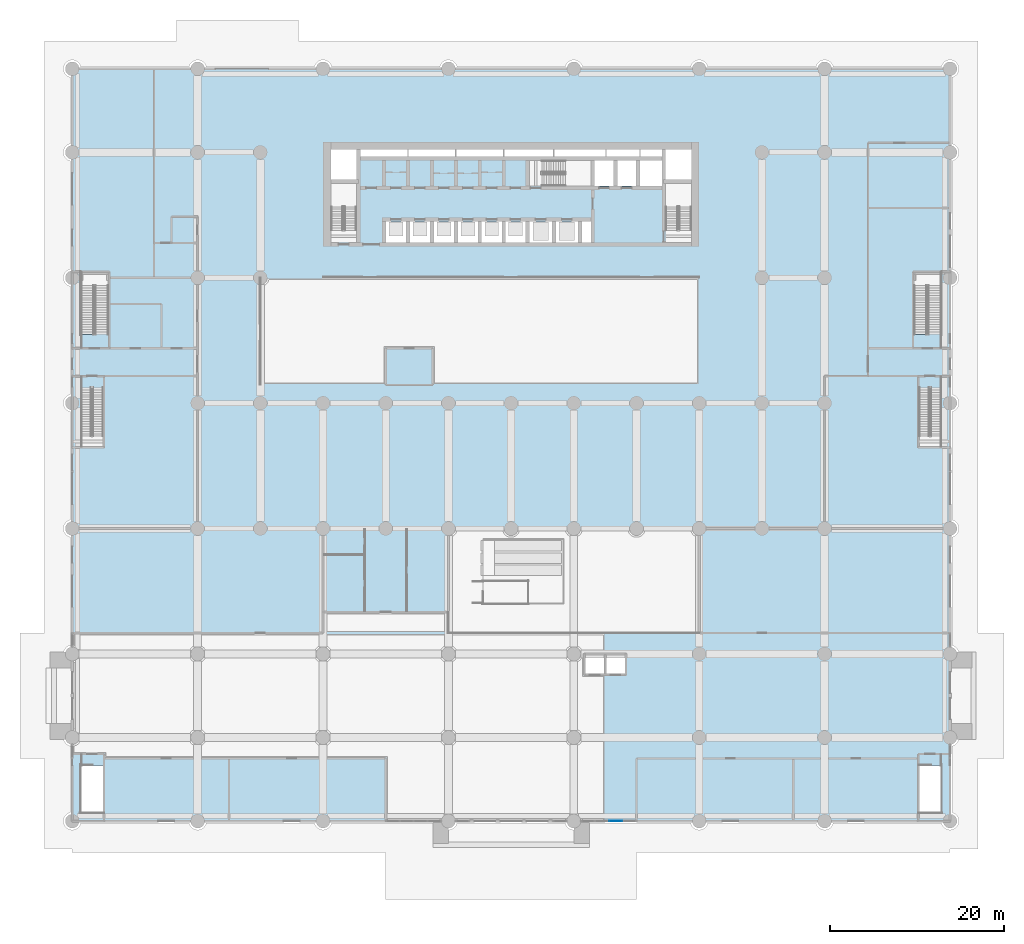
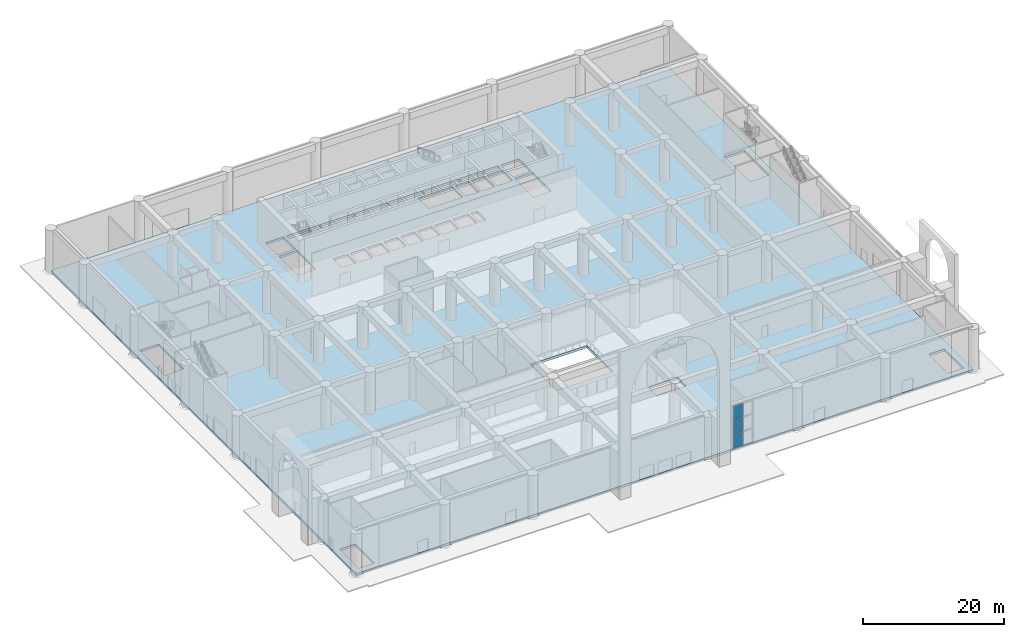
# One storey, part 11 of 32: 3 plates, 1 slab, 1 element without a shape of its own.
"""IFC4 building model written with IfcOpenShell, lengths in metres."""

from ifc_helpers import new_model, si_unit, direction, frame, origin, origin_2d, place, context, subcontext, project, spatial, polyline, rectangle, outline, extrude, source, transform, mapped, material, layer, layer_set, type_object, element, aggregate, save


model = new_model("IFC4")

# Units and contexts
model_context = context("Model", 3, precision=1e-05, world=origin(), true_north=direction((0.0, 1.0)))
body_context = subcontext(model_context, "Body", "Model", "MODEL_VIEW")
ifc_project = project(units=[si_unit("LENGTHUNIT", "METRE"), si_unit("AREAUNIT", "SQUARE_METRE"), si_unit("VOLUMEUNIT", "CUBIC_METRE"), si_unit("PLANEANGLEUNIT", "RADIAN"), si_unit("MASSUNIT", "GRAM", prefix="KILO")], contexts=[model_context])

# Site, building, storey
site_placement = place(None, origin())
site = spatial("IfcSite", under=ifc_project, at=site_placement, CompositionType="ELEMENT")
building_placement = place(site_placement, origin())
building = spatial("IfcBuilding", under=site, at=building_placement, Name="Saffron Iwan Residences", CompositionType="ELEMENT")
storey_placement = place(building_placement, origin())
storey = spatial("IfcBuildingStorey", under=building, at=storey_placement, Name="L00", CompositionType="ELEMENT", Elevation=0.0)

# Slab
ifc_material_1 = material(Name="Concrete C40/50", Category="concrete")
ifc_layer_1 = layer(ifc_material_1, 0.39990234375)
ifc_layer_set_1 = layer_set([ifc_layer_1], Name="Concrete C40/50")
slab_type = type_object("IfcSlabType", Name="PT PLATE 400 C40/50", PredefinedType="FLOOR", material=ifc_layer_set_1)
slab_placement = place(storey_placement, frame((0.0, 0.0, -0.400146484375)))
element("IfcSlab", 1, at=slab_placement, inside=storey, type_object=slab_type, Name="Floor slab L00", PredefinedType="FLOOR", context=body_context, shape_type="SweptSolid", body=[
    extrude(outline(polyline([(0.0, 0.0), (0.0, 86.39990234375), (100.800048828125, 86.39990234375), (100.800048828125, 0.0), (0.0, 0.0)]), holes=[polyline([(3.550048828125, 6.399658203125), (1.0, 6.399658203125), (1.0, 1.0), (3.550048828125, 1.0), (3.550048828125, 6.399658203125)]), polyline([(56.39990234375, 25.0), (56.39990234375, 32.39990234375), (47.200439453125, 32.39990234375), (47.200439453125, 25.0), (56.39990234375, 25.0)]), polyline([(2.64990234375, 55.900390625), (2.64990234375, 56.0), (4.14990234375, 56.0), (4.14990234375, 63.0), (1.0, 63.0), (1.0, 55.900390625), (2.64990234375, 55.900390625)]), polyline([(38.324951171875, 66.449951171875), (38.324951171875, 68.875), (36.02490234375, 68.875), (36.02490234375, 66.449951171875), (38.324951171875, 66.449951171875)]), polyline([(41.074951171875, 66.449951171875), (41.074951171875, 68.875), (38.77490234375, 68.875), (38.77490234375, 66.449951171875), (41.074951171875, 66.449951171875)]), polyline([(43.824951171875, 66.449951171875), (43.824951171875, 68.875), (41.52490234375, 68.875), (41.52490234375, 66.449951171875), (43.824951171875, 66.449951171875)]), polyline([(46.574951171875, 66.449951171875), (46.574951171875, 68.875), (44.27490234375, 68.875), (44.27490234375, 66.449951171875), (46.574951171875, 66.449951171875)]), polyline([(49.324951171875, 66.449951171875), (49.324951171875, 68.875), (47.02490234375, 68.875), (47.02490234375, 66.449951171875), (49.324951171875, 66.449951171875)]), polyline([(52.074951171875, 66.449951171875), (52.074951171875, 68.875), (49.77490234375, 68.875), (49.77490234375, 66.449951171875), (52.074951171875, 66.449951171875)]), polyline([(55.074951171875, 66.449951171875), (55.074951171875, 68.875), (52.52490234375, 68.875), (52.52490234375, 66.449951171875), (55.074951171875, 66.449951171875)]), polyline([(32.64990234375, 73.25), (29.699951171875, 73.25), (29.699951171875, 67.949951171875), (29.699951171875, 67.8505859375), (31.10009765625, 67.8505859375), (31.10009765625, 67.949951171875), (32.64990234375, 67.949951171875), (32.64990234375, 73.25)]), polyline([(32.64990234375, 73.699951171875), (32.64990234375, 77.10009765625), (29.699951171875, 77.10009765625), (29.699951171875, 73.699951171875), (32.64990234375, 73.699951171875)]), polyline([(38.5, 76.324951171875), (38.5, 77.10009765625), (33.10009765625, 77.10009765625), (33.10009765625, 76.324951171875), (38.5, 76.324951171875)]), polyline([(44.0, 76.324951171875), (44.0, 77.10009765625), (38.60009765625, 77.10009765625), (38.60009765625, 76.324951171875), (44.0, 76.324951171875)]), polyline([(49.5, 76.324951171875), (49.5, 77.10009765625), (44.10009765625, 77.10009765625), (44.10009765625, 76.324951171875), (49.5, 76.324951171875)]), polyline([(55.25, 76.324951171875), (55.25, 77.10009765625), (49.60009765625, 77.10009765625), (49.60009765625, 76.324951171875), (55.25, 76.324951171875)]), polyline([(99.800048828125, 1.0), (99.800048828125, 6.399658203125), (97.25, 6.399658203125), (97.25, 1.0), (99.800048828125, 1.0)]), polyline([(63.60009765625, 19.199951171875), (61.199951171875, 19.199951171875), (58.800048828125, 19.199951171875), (58.800048828125, 16.800048828125), (61.199951171875, 16.800048828125), (63.60009765625, 16.800048828125), (63.60009765625, 19.199951171875)]), polyline([(98.300048828125, 55.900390625), (98.300048828125, 56.0), (99.800048828125, 56.0), (99.800048828125, 63.0), (96.64990234375, 63.0), (96.64990234375, 55.900390625), (98.300048828125, 55.900390625)]), polyline([(58.074951171875, 66.449951171875), (58.074951171875, 68.875), (55.52490234375, 68.875), (55.52490234375, 66.449951171875), (58.074951171875, 66.449951171875)]), polyline([(59.550048828125, 66.449951171875), (59.550048828125, 68.875), (58.52490234375, 68.875), (58.52490234375, 66.449951171875), (59.550048828125, 66.449951171875)]), polyline([(71.10009765625, 73.25), (68.14990234375, 73.25), (68.14990234375, 67.949951171875), (68.14990234375, 67.8505859375), (69.550048828125, 67.8505859375), (69.550048828125, 67.949951171875), (71.10009765625, 67.949951171875), (71.10009765625, 73.25)]), polyline([(53.925537109375, 74.47509765625), (54.02490234375, 74.47509765625), (54.02490234375, 72.925048828125), (59.550048828125, 72.925048828125), (59.550048828125, 75.875), (54.02490234375, 75.875), (53.925537109375, 75.875), (53.925537109375, 74.47509765625)]), polyline([(62.14990234375, 72.925048828125), (62.14990234375, 75.875), (60.0, 75.875), (60.0, 72.925048828125), (62.14990234375, 72.925048828125)]), polyline([(64.75, 72.925048828125), (64.75, 75.875), (62.60009765625, 75.875), (62.60009765625, 72.925048828125), (64.75, 72.925048828125)]), polyline([(67.699951171875, 72.925048828125), (67.699951171875, 75.875), (65.199951171875, 75.875), (65.199951171875, 72.925048828125), (67.699951171875, 72.925048828125)]), polyline([(71.10009765625, 73.699951171875), (71.10009765625, 77.10009765625), (68.14990234375, 77.10009765625), (68.14990234375, 73.699951171875), (71.10009765625, 73.699951171875)]), polyline([(61.25, 76.324951171875), (61.25, 77.10009765625), (55.35009765625, 77.10009765625), (55.35009765625, 76.324951171875), (61.25, 76.324951171875)]), polyline([(65.14990234375, 76.324951171875), (65.14990234375, 77.10009765625), (61.35009765625, 77.10009765625), (61.35009765625, 76.324951171875), (65.14990234375, 76.324951171875)]), polyline([(67.699951171875, 76.324951171875), (67.699951171875, 77.10009765625), (65.25, 77.10009765625), (65.25, 76.324951171875), (67.699951171875, 76.324951171875)])]), origin(), (0.0, 0.0, 1.0), 0.400146484375),
])

# Curtain wall, plates
ifc_material_2 = material(Name="Clear glass, laminated double glazed", Category="glass")
ifc_layer_2 = layer(ifc_material_2, 0.199951171875)
ifc_layer_set_2 = layer_set([ifc_layer_2], Name="Clear glass, laminated double glazed")
curtain_wall_type = type_object("IfcCurtainWallType", Name="CW-A UNITISED FRONTAGE", PredefinedType="NOTDEFINED", material=ifc_layer_set_2)
curtain_wall_placement = place(storey_placement, origin())
curtain_wall = element("IfcCurtainWall", 2, at=curtain_wall_placement, inside=storey, type_object=curtain_wall_type, Name="Frontage glazing 2.2", PredefinedType="NOTDEFINED")
ifc_layer_3 = layer(ifc_material_2, 0.031982421875)
ifc_layer_set_3 = layer_set([ifc_layer_3], Name="Clear glass, laminated double glazed")
plate_type = type_object("IfcPlateType", Name="CW-A PANEL 32", PredefinedType="CURTAIN_PANEL", material=ifc_layer_set_3)
shared_shape_1 = source(origin(), body_context, "Body", "SweptSolid", [
    extrude(rectangle(XDim=1.52001953125, YDim=0.031982421875, at=origin_2d()), origin(), (0.0, 0.0, 1.0), 2.3798828125),
])
plate_1_placement = place(storey_placement, frame((62.39990234375, 0.0, 0.080078125), z_axis=(0.0, 0.0, 1.0), x_axis=(1.0, 0.0, 0.0)))
plate_1 = element("IfcPlate", 3, at=plate_1_placement, type_object=plate_type, Name="CW-A panel 3.1", PredefinedType="CURTAIN_PANEL", context=body_context, shape_type="MappedRepresentation", body=[
    mapped(shared_shape_1, transform((0.0, 0.0, 0.0))),
])
shared_shape_2 = source(origin(), body_context, "Body", "SweptSolid", [
    extrude(rectangle(XDim=1.52001953125, YDim=0.031982421875, at=origin_2d()), origin(), (0.0, 0.0, 1.0), 2.419921875),
])
plate_2_placement = place(storey_placement, frame((62.39990234375, 0.0, 2.5400390625), z_axis=(0.0, 0.0, 1.0), x_axis=(1.0, 0.0, 0.0)))
plate_2 = element("IfcPlate", 4, at=plate_2_placement, type_object=plate_type, Name="CW-A panel 3.2", PredefinedType="CURTAIN_PANEL", context=body_context, shape_type="MappedRepresentation", body=[
    mapped(shared_shape_2, transform((0.0, 0.0, 0.0))),
])
shared_shape_3 = source(origin(), body_context, "Body", "SweptSolid", [
    extrude(rectangle(XDim=1.52001953125, YDim=0.031982421875, at=origin_2d()), origin(), (0.0, 0.0, 1.0), 2.280029296875),
])
plate_3_placement = place(storey_placement, frame((62.39990234375, 0.0, 5.0400390625), z_axis=(0.0, 0.0, 1.0), x_axis=(1.0, 0.0, 0.0)))
plate_3 = element("IfcPlate", 5, at=plate_3_placement, type_object=plate_type, Name="CW-A panel 3.3", PredefinedType="CURTAIN_PANEL", context=body_context, shape_type="MappedRepresentation", body=[
    mapped(shared_shape_3, transform((0.0, 0.0, 0.0))),
])
aggregate(curtain_wall, [plate_1, plate_2, plate_3])

save(model, "model.ifc")
